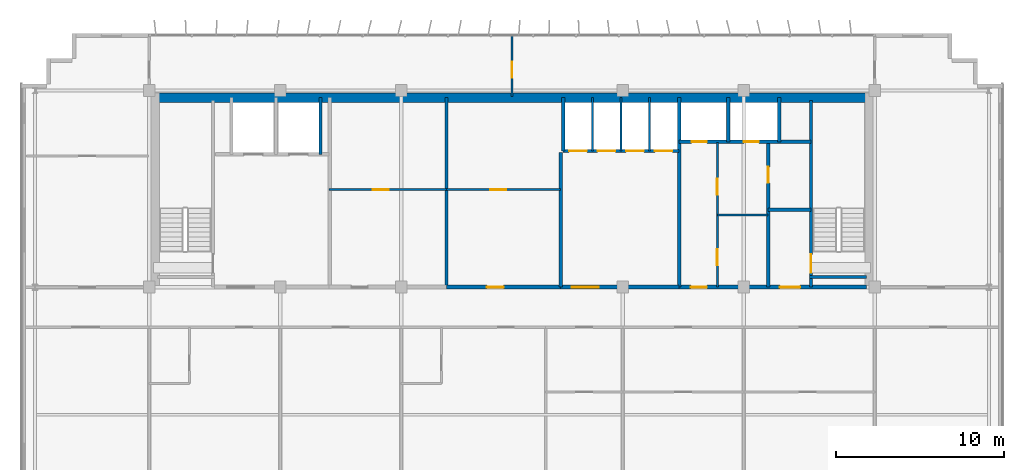
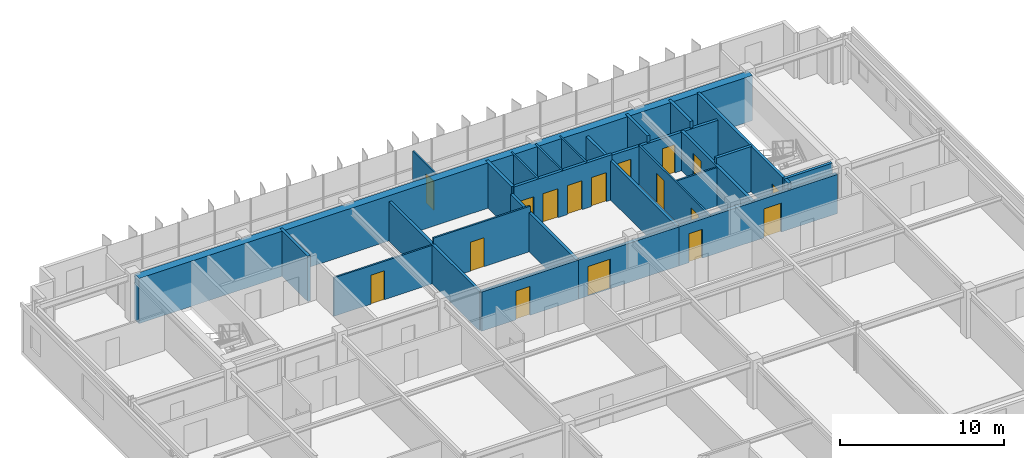
# One storey, part 20 of 23: 25 walls, 17 doors, 17 openings.
"""IFC4 building model written with IfcOpenShell, lengths in metres."""

from ifc_helpers import new_model, si_unit, direction, frame, frame_2d, origin, place, context, subcontext, project, spatial, rectangle, extrude, source, transform, mapped, material, layer, layer_set, type_object, element, fill, save


model = new_model("IFC4")

# Units and contexts
model_context = context("Model", 3, precision=1e-05, world=origin(), true_north=direction((0.0, 1.0)))
body_context = subcontext(model_context, "Body", "Model", "MODEL_VIEW")
ifc_project = project(units=[si_unit("LENGTHUNIT", "METRE"), si_unit("AREAUNIT", "SQUARE_METRE"), si_unit("VOLUMEUNIT", "CUBIC_METRE"), si_unit("PLANEANGLEUNIT", "RADIAN"), si_unit("MASSUNIT", "GRAM", prefix="KILO")], contexts=[model_context])

# Site, building, storey
site_placement = place(None, origin())
site = spatial("IfcSite", under=ifc_project, at=site_placement, CompositionType="ELEMENT")
building_placement = place(site_placement, origin())
building = spatial("IfcBuilding", under=site, at=building_placement, Name="Trelvane Seafront Commons", CompositionType="ELEMENT")
storey_placement = place(building_placement, frame((0.0, 0.0, 230.10009765625)))
storey = spatial("IfcBuildingStorey", under=building, at=storey_placement, Name="L60", CompositionType="ELEMENT", Elevation=230.10009765625)

# Wall, opening, door
ifc_material_1 = material(Name="Concrete C40/50", Category="concrete")
ifc_layer_1 = layer(ifc_material_1, 0.199951171875, Name="ARCH-WALL-FIRE200")
ifc_layer_set_1 = layer_set([ifc_layer_1], Name="Concrete C40/50")
wall_type_1 = type_object("IfcWallType", Name="ARCH-WALL-FIRE200", PredefinedType="PARTITIONING", material=ifc_layer_set_1)
wall_1_placement = place(storey_placement, frame((52.449951171875, 33.39990234375, 0.0), z_axis=(0.0, 0.0, 1.0), x_axis=(0.0, 1.0, 0.0)))
wall_1 = element("IfcWall", 1, at=wall_1_placement, inside=storey, type_object=wall_type_1, Name="W-L60-ST2V-W-030", PredefinedType="PARTITIONING", context=body_context, shape_type="SweptSolid", body=[
    extrude(rectangle(XDim=8.650146484375, YDim=0.199951171875, at=frame_2d((4.3251953125, 0.0))), origin(), (0.0, 0.0, 1.0), 2.909912109375),
])
opening_1_placement = place(wall_1_placement, frame((6.199951171875, 0.0, 0.0)))
opening_1 = element("IfcOpeningElement", 2, at=opening_1_placement, cuts=wall_1, Name="Opening FD-L60-17", PredefinedType="OPENING", context=body_context, shape_type="SweptSolid", body=[
    extrude(rectangle(XDim=0.949951171875, YDim=2.14990234375, at=frame_2d((0.47509765625, 1.074951171875))), frame((0.0, 0.10986328125, 0.0), z_axis=(0.0, -1.0, 0.0), x_axis=(1.0, 0.0, 0.0)), (0.0, 0.0, 1.0), 0.219970703125),
])
ifc_material_2 = material(Name="Powder-coated aluminium frame", Category="aluminium")
door_type_1 = type_object("IfcDoorType", Name="ARCH-DR-FD60-950", OperationType="NOTDEFINED", PredefinedType="DOOR", material=ifc_material_2)
shared_shape_1 = source(origin(), body_context, "Body", "SweptSolid", [
    extrude(rectangle(XDim=0.949951171875, YDim=2.14990234375, at=frame_2d((0.47509765625, 1.074951171875))), frame((0.0, 0.02490234375, 0.0), z_axis=(0.0, -1.0, 0.0), x_axis=(1.0, 0.0, 0.0)), (0.0, 0.0, 1.0), 0.050048828125),
])
door_1_placement = place(opening_1_placement, origin())
door_1 = element("IfcDoor", 3, at=door_1_placement, inside=storey, type_object=door_type_1, Name="L60 Cleaner Store Door", OperationType="SINGLE_SWING_LEFT", OverallHeight=2.14990234375, OverallWidth=0.949951171875, PredefinedType="DOOR", context=body_context, shape_type="MappedRepresentation", body=[
    mapped(shared_shape_1, transform((0.0, 0.0, 0.0), x_axis=(1.0, 0.0, 0.0), y_axis=(0.0, 1.0, 0.0), z_axis=(0.0, 0.0, 1.0), scale=1.0)),
])
fill(opening_1, door_1)

# Wall
wall_2_placement = place(storey_placement, frame((52.449951171875, 38.0, 0.0), z_axis=(0.0, 0.0, 1.0), x_axis=(1.0, 0.0, 0.0)))
element("IfcWall", 4, at=wall_2_placement, inside=storey, type_object=wall_type_1, Name="W-L60-ST2V-N-031", PredefinedType="PARTITIONING", context=body_context, shape_type="SweptSolid", body=[
    extrude(rectangle(XDim=2.550048828125, YDim=0.199951171875, at=frame_2d((1.27490234375, 0.0))), origin(), (0.0, 0.0, 1.0), 3.35986328125),
])

# Wall, opening, door
ifc_layer_2 = layer(ifc_material_1, 0.25, Name="ARCH-WALL-FIRE250")
ifc_layer_set_2 = layer_set([ifc_layer_2], Name="Concrete C40/50")
wall_type_2 = type_object("IfcWallType", Name="ARCH-WALL-FIRE250", PredefinedType="PARTITIONING", material=ifc_layer_set_2)
wall_3_placement = place(storey_placement, frame((33.300048828125, 33.39990234375, 0.0), z_axis=(0.0, 0.0, 1.0), x_axis=(1.0, 0.0, 0.0)))
wall_3 = element("IfcWall", 5, at=wall_3_placement, inside=storey, type_object=wall_type_2, Name="W-L60-CS-FPM-025", PredefinedType="PARTITIONING", context=body_context, shape_type="SweptSolid", body=[
    extrude(rectangle(XDim=6.800048828125, YDim=0.25, at=frame_2d((3.39990234375, 0.0))), origin(), (0.0, 0.0, 1.0), 2.909912109375),
])
opening_2_placement = place(wall_3_placement, frame((2.39990234375, 0.0, 0.0)))
opening_2 = element("IfcOpeningElement", 6, at=opening_2_placement, cuts=wall_3, Name="Opening FD-L60-13", PredefinedType="OPENING", context=body_context, shape_type="SweptSolid", body=[
    extrude(rectangle(XDim=1.0, YDim=2.14990234375, at=frame_2d((0.5, 1.074951171875))), frame((0.0, 0.135009765625, 0.0), z_axis=(0.0, -1.0, 0.0), x_axis=(1.0, 0.0, 0.0)), (0.0, 0.0, 1.0), 0.27001953125),
])
door_type_2 = type_object("IfcDoorType", Name="ARCH-DR-FD60-1000", OperationType="NOTDEFINED", PredefinedType="DOOR", material=ifc_material_2)
shared_shape_2 = source(origin(), body_context, "Body", "SweptSolid", [
    extrude(rectangle(XDim=1.0, YDim=2.14990234375, at=frame_2d((0.5, 1.074951171875))), frame((0.0, 0.02490234375, 0.0), z_axis=(0.0, -1.0, 0.0), x_axis=(1.0, 0.0, 0.0)), (0.0, 0.0, 1.0), 0.050048828125),
])
door_2_placement = place(opening_2_placement, origin())
door_2 = element("IfcDoor", 7, at=door_2_placement, inside=storey, type_object=door_type_2, Name="L60 Trunk Storage Door", OperationType="SINGLE_SWING_LEFT", OverallHeight=2.14990234375, OverallWidth=1.0, PredefinedType="DOOR", context=body_context, shape_type="MappedRepresentation", body=[
    mapped(shared_shape_2, transform((0.0, 0.0, 0.0), x_axis=(1.0, 0.0, 0.0), y_axis=(0.0, 1.0, 0.0), z_axis=(0.0, 0.0, 1.0), scale=1.0)),
])
fill(opening_2, door_2)

wall_4_placement = place(storey_placement, frame((40.10009765625, 33.39990234375, 0.0), z_axis=(0.0, 0.0, 1.0), x_axis=(1.0, 0.0, 0.0)))
wall_4 = element("IfcWall", 8, at=wall_4_placement, inside=storey, type_object=wall_type_2, Name="W-L60-CS-PAX-026", PredefinedType="PARTITIONING", context=body_context, shape_type="SweptSolid", body=[
    extrude(rectangle(XDim=7.0498046875, YDim=0.25, at=frame_2d((3.52490234375, 0.0))), origin(), (0.0, 0.0, 1.0), 2.909912109375),
])
opening_3_placement = place(wall_4_placement, frame((0.64990234375, 0.0, 0.0)))
opening_3 = element("IfcOpeningElement", 9, at=opening_3_placement, cuts=wall_4, Name="Opening FD-L60-14", PredefinedType="OPENING", context=body_context, shape_type="SweptSolid", body=[
    extrude(rectangle(XDim=1.60009765625, YDim=2.199951171875, at=frame_2d((0.800048828125, 1.10009765625))), frame((0.0, 0.135009765625, 0.0), z_axis=(0.0, -1.0, 0.0), x_axis=(1.0, 0.0, 0.0)), (0.0, 0.0, 1.0), 0.27001953125),
])
door_type_3 = type_object("IfcDoorType", Name="ARCH-DR-FD60-1600", OperationType="DOUBLE_DOOR_SINGLE_SWING", PredefinedType="DOOR", material=ifc_material_2)
shared_shape_3 = source(origin(), body_context, "Body", "SweptSolid", [
    extrude(rectangle(XDim=1.60009765625, YDim=2.199951171875, at=frame_2d((0.800048828125, 1.10009765625))), frame((0.0, 0.02490234375, 0.0), z_axis=(0.0, -1.0, 0.0), x_axis=(1.0, 0.0, 0.0)), (0.0, 0.0, 1.0), 0.050048828125),
])
door_3_placement = place(opening_3_placement, origin())
door_3 = element("IfcDoor", 10, at=door_3_placement, inside=storey, type_object=door_type_3, Name="L60 High-Rise Lift Lobby Double Door", OperationType="DOUBLE_DOOR_SINGLE_SWING", OverallHeight=2.199951171875, OverallWidth=1.60009765625, PredefinedType="DOOR", context=body_context, shape_type="MappedRepresentation", body=[
    mapped(shared_shape_3, transform((0.0, 0.0, 0.0), x_axis=(1.0, 0.0, 0.0), y_axis=(0.0, 1.0, 0.0), z_axis=(0.0, 0.0, 1.0), scale=1.0)),
])
fill(opening_3, door_3)

# Wall, openings, doors
wall_5_placement = place(storey_placement, frame((47.14990234375, 33.39990234375, 0.0), z_axis=(0.0, 0.0, 1.0), x_axis=(1.0, 0.0, 0.0)))
wall_5 = element("IfcWall", 11, at=wall_5_placement, inside=storey, type_object=wall_type_2, Name="W-L60-CS-EAST-034", PredefinedType="PARTITIONING", context=body_context, shape_type="SweptSolid", body=[
    extrude(rectangle(XDim=11.150146484375, YDim=0.25, at=frame_2d((5.5751953125, 0.0))), origin(), (0.0, 0.0, 1.0), 2.909912109375),
])
opening_4_placement = place(wall_5_placement, frame((0.699951171875, 0.0, 0.0)))
opening_4 = element("IfcOpeningElement", 12, at=opening_4_placement, cuts=wall_5, Name="Opening FD-L60-20", PredefinedType="OPENING", context=body_context, shape_type="SweptSolid", body=[
    extrude(rectangle(XDim=0.949951171875, YDim=2.14990234375, at=frame_2d((0.47509765625, 1.074951171875))), frame((0.0, 0.135009765625, 0.0), z_axis=(0.0, -1.0, 0.0), x_axis=(1.0, 0.0, 0.0)), (0.0, 0.0, 1.0), 0.27001953125),
])
opening_5_placement = place(wall_5_placement, frame((6.0, 0.0, 0.0)))
opening_5 = element("IfcOpeningElement", 13, at=opening_5_placement, cuts=wall_5, Name="Opening FD-L60-21", PredefinedType="OPENING", context=body_context, shape_type="SweptSolid", body=[
    extrude(rectangle(XDim=1.199951171875, YDim=2.14990234375, at=frame_2d((0.60009765625, 1.074951171875))), frame((0.0, 0.135009765625, 0.0), z_axis=(0.0, -1.0, 0.0), x_axis=(1.0, 0.0, 0.0)), (0.0, 0.0, 1.0), 0.27001953125),
])
door_4_placement = place(opening_4_placement, origin())
door_4 = element("IfcDoor", 14, at=door_4_placement, inside=storey, type_object=door_type_1, Name="L60 Core Service Lobby Door", OperationType="SINGLE_SWING_RIGHT", OverallHeight=2.14990234375, OverallWidth=0.949951171875, PredefinedType="DOOR", context=body_context, shape_type="MappedRepresentation", body=[
    mapped(shared_shape_1, transform((0.0, 0.0, 0.0), x_axis=(1.0, 0.0, 0.0), y_axis=(0.0, 1.0, 0.0), z_axis=(0.0, 0.0, 1.0), scale=1.0)),
])
fill(opening_4, door_4)
door_type_4 = type_object("IfcDoorType", Name="ARCH-DR-FD60-1200", OperationType="NOTDEFINED", PredefinedType="DOOR", material=ifc_material_2)
shared_shape_4 = source(origin(), body_context, "Body", "SweptSolid", [
    extrude(rectangle(XDim=1.199951171875, YDim=2.14990234375, at=frame_2d((0.60009765625, 1.074951171875))), frame((0.0, 0.02490234375, 0.0), z_axis=(0.0, -1.0, 0.0), x_axis=(1.0, 0.0, 0.0)), (0.0, 0.0, 1.0), 0.050048828125),
])
door_5_placement = place(opening_5_placement, origin())
door_5 = element("IfcDoor", 15, at=door_5_placement, inside=storey, type_object=door_type_4, Name="L60 East Stair Vestibule Fire Door", OperationType="SINGLE_SWING_LEFT", OverallHeight=2.14990234375, OverallWidth=1.199951171875, PredefinedType="DOOR", context=body_context, shape_type="MappedRepresentation", body=[
    mapped(shared_shape_4, transform((0.0, 0.0, 0.0), x_axis=(1.0, 0.0, 0.0), y_axis=(0.0, 1.0, 0.0), z_axis=(0.0, 0.0, 1.0), scale=1.0)),
])
fill(opening_5, door_5)

# Wall, opening, door
ifc_material_3 = material(Name="Gypsum Drywall Acoustic Partition")
ifc_layer_3 = layer(ifc_material_3, 0.1201171875, Name="ARCH-WALL-PART120")
ifc_layer_set_3 = layer_set([ifc_layer_3], Name="Gypsum Drywall Acoustic Partition")
wall_type_3 = type_object("IfcWallType", Name="ARCH-WALL-PART120", PredefinedType="PARTITIONING", material=ifc_layer_set_3)
wall_6_placement = place(storey_placement, frame((26.300048828125, 39.199951171875, 0.0), z_axis=(0.0, 0.0, 1.0), x_axis=(1.0, 0.0, 0.0)))
wall_6 = element("IfcWall", 16, at=wall_6_placement, inside=storey, type_object=wall_type_3, Name="W-L60-FREED-PL-MID-014", PredefinedType="PARTITIONING", context=body_context, shape_type="SweptSolid", body=[
    extrude(rectangle(XDim=7.0, YDim=0.1201171875, at=frame_2d((3.5, 0.0))), origin(), (0.0, 0.0, 1.0), 2.85986328125),
])
opening_6_placement = place(wall_6_placement, frame((2.60009765625, 0.0, 0.0)))
opening_6 = element("IfcOpeningElement", 17, at=opening_6_placement, cuts=wall_6, Name="Opening D-L60-06", PredefinedType="OPENING", context=body_context, shape_type="SweptSolid", body=[
    extrude(rectangle(XDim=0.949951171875, YDim=2.14990234375, at=frame_2d((0.47509765625, 1.074951171875))), frame((0.0, 0.070068359375, 0.0), z_axis=(0.0, -1.0, 0.0), x_axis=(1.0, 0.0, 0.0)), (0.0, 0.0, 1.0), 0.14013671875),
])
ifc_material_4 = material(Name="Acoustic timber door leaf", Category="wood")
door_type_5 = type_object("IfcDoorType", Name="ARCH-DR-INT950", OperationType="NOTDEFINED", PredefinedType="DOOR", material=ifc_material_4)
door_6_placement = place(opening_6_placement, origin())
door_6 = element("IfcDoor", 18, at=door_6_placement, inside=storey, type_object=door_type_5, Name="L60 Housekeeping Store Door", OperationType="SINGLE_SWING_RIGHT", OverallHeight=2.14990234375, OverallWidth=0.949951171875, PredefinedType="DOOR", context=body_context, shape_type="MappedRepresentation", body=[
    mapped(shared_shape_1, transform((0.0, 0.0, 0.0), x_axis=(1.0, 0.0, 0.0), y_axis=(0.0, 1.0, 0.0), z_axis=(0.0, 0.0, 1.0), scale=1.0)),
])
fill(opening_6, door_6)

wall_7_placement = place(storey_placement, frame((33.300048828125, 39.199951171875, 0.0), z_axis=(0.0, 0.0, 1.0), x_axis=(1.0, 0.0, 0.0)))
wall_7 = element("IfcWall", 19, at=wall_7_placement, inside=storey, type_object=wall_type_3, Name="W-L60-FREED-PM-MID-016", PredefinedType="PARTITIONING", context=body_context, shape_type="SweptSolid", body=[
    extrude(rectangle(XDim=6.800048828125, YDim=0.1201171875, at=frame_2d((3.39990234375, 0.0))), origin(), (0.0, 0.0, 1.0), 3.35986328125),
])
opening_7_placement = place(wall_7_placement, frame((2.60009765625, 0.0, 0.0)))
opening_7 = element("IfcOpeningElement", 20, at=opening_7_placement, cuts=wall_7, Name="Opening D-L60-07", PredefinedType="OPENING", context=body_context, shape_type="SweptSolid", body=[
    extrude(rectangle(XDim=0.949951171875, YDim=2.14990234375, at=frame_2d((0.47509765625, 1.074951171875))), frame((0.0, 0.070068359375, 0.0), z_axis=(0.0, -1.0, 0.0), x_axis=(1.0, 0.0, 0.0)), (0.0, 0.0, 1.0), 0.14013671875),
])
door_7_placement = place(opening_7_placement, origin())
door_7 = element("IfcDoor", 21, at=door_7_placement, inside=storey, type_object=door_type_5, Name="L60 IT Comms Room Door", OperationType="SINGLE_SWING_LEFT", OverallHeight=2.14990234375, OverallWidth=0.949951171875, PredefinedType="DOOR", context=body_context, shape_type="MappedRepresentation", body=[
    mapped(shared_shape_1, transform((0.0, 0.0, 0.0), x_axis=(1.0, 0.0, 0.0), y_axis=(0.0, 1.0, 0.0), z_axis=(0.0, 0.0, 1.0), scale=1.0)),
])
fill(opening_7, door_7)

# Walls
for number, where, z_axis, x_axis, name in (
    (22, (42.0, 41.5, 0.0), (0.0, 0.0, 1.0), (0.0, 1.0, 0.0), "W-L60-PH-DIV1-020"),
    (23, (43.699951171875, 41.5, 0.0), (0.0, 0.0, 1.0), (0.0, 1.0, 0.0), "W-L60-PH-DIV2-021"),
    (24, (45.39990234375, 41.5, 0.0), (0.0, 0.0, 1.0), (0.0, 1.0, 0.0), "W-L60-PH-DIV3-022"),
):
    element("IfcWall", number, at=place(storey_placement, frame(where, z_axis=z_axis, x_axis=x_axis)), inside=storey, type_object=wall_type_3, Name=name, PredefinedType="PARTITIONING", context=body_context, shape_type="SweptSolid", body=[
        extrude(rectangle(XDim=3.199951171875, YDim=0.1201171875, at=frame_2d((1.60009765625, 0.0))), origin(), (0.0, 0.0, 1.0), 3.35986328125),
    ])

# Wall, openings, doors
wall_8_placement = place(storey_placement, frame((49.419921875, 33.39990234375, 0.0), z_axis=(0.0, 0.0, 1.0), x_axis=(0.0, 1.0, 0.0)))
wall_8 = element("IfcWall", 25, at=wall_8_placement, inside=storey, type_object=wall_type_3, Name="W-L60-CYC0-V-032", PredefinedType="PARTITIONING", context=body_context, shape_type="SweptSolid", body=[
    extrude(rectangle(XDim=8.60009765625, YDim=0.1201171875, at=frame_2d((4.300048828125, 0.0))), origin(), (0.0, 0.0, 1.0), 2.909912109375),
])
opening_8_placement = place(wall_8_placement, frame((1.300048828125, 0.0, 0.0)))
opening_8 = element("IfcOpeningElement", 26, at=opening_8_placement, cuts=wall_8, Name="Opening D-L60-18", PredefinedType="OPENING", context=body_context, shape_type="SweptSolid", body=[
    extrude(rectangle(XDim=0.949951171875, YDim=2.14990234375, at=frame_2d((0.47509765625, 1.074951171875))), frame((0.0, 0.070068359375, 0.0), z_axis=(0.0, -1.0, 0.0), x_axis=(1.0, 0.0, 0.0)), (0.0, 0.0, 1.0), 0.14013671875),
])
opening_9_placement = place(wall_8_placement, frame((5.5, 0.0, 0.0)))
opening_9 = element("IfcOpeningElement", 27, at=opening_9_placement, cuts=wall_8, Name="Opening D-L60-19", PredefinedType="OPENING", context=body_context, shape_type="SweptSolid", body=[
    extrude(rectangle(XDim=0.949951171875, YDim=2.14990234375, at=frame_2d((0.47509765625, 1.074951171875))), frame((0.0, 0.070068359375, 0.0), z_axis=(0.0, -1.0, 0.0), x_axis=(1.0, 0.0, 0.0)), (0.0, 0.0, 1.0), 0.14013671875),
])
door_8_placement = place(opening_8_placement, origin())
door_8 = element("IfcDoor", 28, at=door_8_placement, inside=storey, type_object=door_type_5, Name="L60 Accessible WC Door", OperationType="SINGLE_SWING_RIGHT", OverallHeight=2.14990234375, OverallWidth=0.949951171875, PredefinedType="DOOR", context=body_context, shape_type="MappedRepresentation", body=[
    mapped(shared_shape_1, transform((0.0, 0.0, 0.0), x_axis=(1.0, 0.0, 0.0), y_axis=(0.0, 1.0, 0.0), z_axis=(0.0, 0.0, 1.0), scale=1.0)),
])
fill(opening_8, door_8)
door_9_placement = place(opening_9_placement, origin())
door_9 = element("IfcDoor", 29, at=door_9_placement, inside=storey, type_object=door_type_5, Name="L60 Common WC Door", OperationType="SINGLE_SWING_LEFT", OverallHeight=2.14990234375, OverallWidth=0.949951171875, PredefinedType="DOOR", context=body_context, shape_type="MappedRepresentation", body=[
    mapped(shared_shape_1, transform((0.0, 0.0, 0.0), x_axis=(1.0, 0.0, 0.0), y_axis=(0.0, 1.0, 0.0), z_axis=(0.0, 0.0, 1.0), scale=1.0)),
])
fill(opening_9, door_9)

# Wall
wall_9_placement = place(storey_placement, frame((49.419921875, 37.679931640625, 0.0), z_axis=(0.0, 0.0, 1.0), x_axis=(1.0, 0.0, 0.0)))
element("IfcWall", 30, at=wall_9_placement, inside=storey, type_object=wall_type_3, Name="W-L60-CYC0-H-033", PredefinedType="PARTITIONING", context=body_context, shape_type="SweptSolid", body=[
    extrude(rectangle(XDim=3.030029296875, YDim=0.1201171875, at=frame_2d((1.51513671875, 0.0))), origin(), (0.0, 0.0, 1.0), 2.85986328125),
])

# Wall, opening, door
wall_10_placement = place(storey_placement, frame((37.199951171875, 44.75, 0.0), z_axis=(0.0, 0.0, 1.0), x_axis=(0.0, 1.0, 0.0)))
wall_10 = element("IfcWall", 31, at=wall_10_placement, inside=storey, type_object=wall_type_3, Name="W-L60-N-MID-DV-038", PredefinedType="PARTITIONING", context=body_context, shape_type="SweptSolid", body=[
    extrude(rectangle(XDim=3.610107421875, YDim=0.1201171875, at=frame_2d((1.80517578125, 0.0))), origin(), (0.0, 0.0, 1.0), 2.909912109375),
])
opening_10_placement = place(wall_10_placement, frame((1.10009765625, 0.0, 0.0)))
opening_10 = element("IfcOpeningElement", 32, at=opening_10_placement, cuts=wall_10, Name="Opening D-L60-25", PredefinedType="OPENING", context=body_context, shape_type="SweptSolid", body=[
    extrude(rectangle(XDim=0.949951171875, YDim=2.14990234375, at=frame_2d((0.47509765625, 1.074951171875))), frame((0.0, 0.070068359375, 0.0), z_axis=(0.0, -1.0, 0.0), x_axis=(1.0, 0.0, 0.0)), (0.0, 0.0, 1.0), 0.14013671875),
])
door_10_placement = place(opening_10_placement, origin())
door_10 = element("IfcDoor", 33, at=door_10_placement, inside=storey, type_object=door_type_5, Name="L60 Door 25", OperationType="SINGLE_SWING_LEFT", OverallHeight=2.14990234375, OverallWidth=0.949951171875, PredefinedType="DOOR", context=body_context, shape_type="MappedRepresentation", body=[
    mapped(shared_shape_1, transform((0.0, 0.0, 0.0), x_axis=(1.0, 0.0, 0.0), y_axis=(0.0, 1.0, 0.0), z_axis=(0.0, 0.0, 1.0), scale=1.0)),
])
fill(opening_10, door_10)

# Walls
ifc_layer_4 = layer(ifc_material_1, 0.199951171875, Name="ARCH-WALL-SHAFT200")
ifc_layer_set_4 = layer_set([ifc_layer_4], Name="Concrete C40/50")
wall_type_4 = type_object("IfcWallType", Name="ARCH-WALL-SHAFT200", PredefinedType="SOLIDWALL", material=ifc_layer_set_4)
wall_11_placement = place(storey_placement, frame((25.800048828125, 41.300048828125, 0.0), z_axis=(0.0, 0.0, 1.0), x_axis=(0.0, 1.0, 0.0)))
element("IfcWall", 34, at=wall_11_placement, inside=storey, type_object=wall_type_4, Name="W-L60-FFL-SH-E-011", PredefinedType="SOLIDWALL", context=body_context, shape_type="SweptSolid", body=[
    extrude(rectangle(XDim=3.39990234375, YDim=0.199951171875, at=frame_2d((1.699951171875, 0.0))), origin(), (0.0, 0.0, 1.0), 3.35986328125),
])
wall_12_placement = place(storey_placement, frame((33.300048828125, 33.39990234375, 0.0), z_axis=(0.0, 0.0, 1.0), x_axis=(0.0, 1.0, 0.0)))
element("IfcWall", 35, at=wall_12_placement, inside=storey, type_object=wall_type_4, Name="W-L60-FREED-PL-E-015", PredefinedType="SOLIDWALL", context=body_context, shape_type="SweptSolid", body=[
    extrude(rectangle(XDim=11.300048828125, YDim=0.199951171875, at=frame_2d((5.64990234375, 0.0))), origin(), (0.0, 0.0, 1.0), 2.909912109375),
])
wall_13_placement = place(storey_placement, frame((40.10009765625, 33.39990234375, 0.0), z_axis=(0.0, 0.0, 1.0), x_axis=(0.0, 1.0, 0.0)))
element("IfcWall", 36, at=wall_13_placement, inside=storey, type_object=wall_type_4, Name="W-L60-FREED-PM-E-017", PredefinedType="SOLIDWALL", context=body_context, shape_type="SweptSolid", body=[
    extrude(rectangle(XDim=8.0, YDim=0.199951171875, at=frame_2d((4.0, 0.0))), origin(), (0.0, 0.0, 1.0), 2.909912109375),
])

# Wall, openings, doors
wall_14_placement = place(storey_placement, frame((40.25, 41.5, 0.0), z_axis=(0.0, 0.0, 1.0), x_axis=(1.0, 0.0, 0.0)))
wall_14 = element("IfcWall", 37, at=wall_14_placement, inside=storey, type_object=wall_type_4, Name="W-L60-PH-FRONT-018", PredefinedType="SOLIDWALL", context=body_context, shape_type="SweptSolid", body=[
    extrude(rectangle(XDim=6.89990234375, YDim=0.199951171875, at=frame_2d((3.449951171875, 0.0))), origin(), (0.0, 0.0, 1.0), 3.35986328125),
])
opening_11_placement = place(wall_14_placement, frame((0.35009765625, 0.0, 0.0)))
opening_11 = element("IfcOpeningElement", 38, at=opening_11_placement, cuts=wall_14, Name="Opening LD-PH1-L60", PredefinedType="OPENING", context=body_context, shape_type="SweptSolid", body=[
    extrude(rectangle(XDim=1.050048828125, YDim=2.14990234375, at=frame_2d((0.52490234375, 1.074951171875))), frame((0.0, 0.10986328125, 0.0), z_axis=(0.0, -1.0, 0.0), x_axis=(1.0, 0.0, 0.0)), (0.0, 0.0, 1.0), 0.219970703125),
])
opening_12_placement = place(wall_14_placement, frame((2.050048828125, 0.0, 0.0)))
opening_12 = element("IfcOpeningElement", 39, at=opening_12_placement, cuts=wall_14, Name="Opening LD-PH2-L60", PredefinedType="OPENING", context=body_context, shape_type="SweptSolid", body=[
    extrude(rectangle(XDim=1.050048828125, YDim=2.14990234375, at=frame_2d((0.52490234375, 1.074951171875))), frame((0.0, 0.10986328125, 0.0), z_axis=(0.0, -1.0, 0.0), x_axis=(1.0, 0.0, 0.0)), (0.0, 0.0, 1.0), 0.219970703125),
])
opening_13_placement = place(wall_14_placement, frame((3.75, 0.0, 0.0)))
opening_13 = element("IfcOpeningElement", 40, at=opening_13_placement, cuts=wall_14, Name="Opening LD-PH3-L60", PredefinedType="OPENING", context=body_context, shape_type="SweptSolid", body=[
    extrude(rectangle(XDim=1.050048828125, YDim=2.14990234375, at=frame_2d((0.52490234375, 1.074951171875))), frame((0.0, 0.10986328125, 0.0), z_axis=(0.0, -1.0, 0.0), x_axis=(1.0, 0.0, 0.0)), (0.0, 0.0, 1.0), 0.219970703125),
])
opening_14_placement = place(wall_14_placement, frame((5.449951171875, 0.0, 0.0)))
opening_14 = element("IfcOpeningElement", 41, at=opening_14_placement, cuts=wall_14, Name="Opening LD-PH4-L60", PredefinedType="OPENING", context=body_context, shape_type="SweptSolid", body=[
    extrude(rectangle(XDim=1.050048828125, YDim=2.14990234375, at=frame_2d((0.52490234375, 1.074951171875))), frame((0.0, 0.10986328125, 0.0), z_axis=(0.0, -1.0, 0.0), x_axis=(1.0, 0.0, 0.0)), (0.0, 0.0, 1.0), 0.219970703125),
])
ifc_material_5 = material(Name="Stainless steel balustrade", Category="steel")
door_type_6 = type_object("IfcDoorType", Name="ARCH-DR-LD1050", OperationType="DOUBLE_DOOR_SLIDING", PredefinedType="DOOR", material=ifc_material_5)
shared_shape_5 = source(origin(), body_context, "Body", "SweptSolid", [
    extrude(rectangle(XDim=1.050048828125, YDim=2.14990234375, at=frame_2d((0.52490234375, 1.074951171875))), frame((0.0, 0.02490234375, 0.0), z_axis=(0.0, -1.0, 0.0), x_axis=(1.0, 0.0, 0.0)), (0.0, 0.0, 1.0), 0.050048828125),
])
door_11_placement = place(opening_11_placement, origin())
door_11 = element("IfcDoor", 42, at=door_11_placement, inside=storey, type_object=door_type_6, Name="L60 Passenger Lift PH-1 Landing Door", OperationType="DOUBLE_DOOR_SLIDING", OverallHeight=2.14990234375, OverallWidth=1.050048828125, PredefinedType="DOOR", context=body_context, shape_type="MappedRepresentation", body=[
    mapped(shared_shape_5, transform((0.0, 0.0, 0.0), x_axis=(1.0, 0.0, 0.0), y_axis=(0.0, 1.0, 0.0), z_axis=(0.0, 0.0, 1.0), scale=1.0)),
])
fill(opening_11, door_11)
door_12_placement = place(opening_12_placement, origin())
door_12 = element("IfcDoor", 43, at=door_12_placement, inside=storey, type_object=door_type_6, Name="L60 Passenger Lift PH-2 Landing Door", OperationType="DOUBLE_DOOR_SLIDING", OverallHeight=2.14990234375, OverallWidth=1.050048828125, PredefinedType="DOOR", context=body_context, shape_type="MappedRepresentation", body=[
    mapped(shared_shape_5, transform((0.0, 0.0, 0.0), x_axis=(1.0, 0.0, 0.0), y_axis=(0.0, 1.0, 0.0), z_axis=(0.0, 0.0, 1.0), scale=1.0)),
])
fill(opening_12, door_12)
door_13_placement = place(opening_13_placement, origin())
door_13 = element("IfcDoor", 44, at=door_13_placement, inside=storey, type_object=door_type_6, Name="L60 Passenger Lift PH-3 Landing Door", OperationType="DOUBLE_DOOR_SLIDING", OverallHeight=2.14990234375, OverallWidth=1.050048828125, PredefinedType="DOOR", context=body_context, shape_type="MappedRepresentation", body=[
    mapped(shared_shape_5, transform((0.0, 0.0, 0.0), x_axis=(1.0, 0.0, 0.0), y_axis=(0.0, 1.0, 0.0), z_axis=(0.0, 0.0, 1.0), scale=1.0)),
])
fill(opening_13, door_13)
door_14_placement = place(opening_14_placement, origin())
door_14 = element("IfcDoor", 45, at=door_14_placement, inside=storey, type_object=door_type_6, Name="L60 Passenger Lift PH-4 Landing Door", OperationType="DOUBLE_DOOR_SLIDING", OverallHeight=2.14990234375, OverallWidth=1.050048828125, PredefinedType="DOOR", context=body_context, shape_type="MappedRepresentation", body=[
    mapped(shared_shape_5, transform((0.0, 0.0, 0.0), x_axis=(1.0, 0.0, 0.0), y_axis=(0.0, 1.0, 0.0), z_axis=(0.0, 0.0, 1.0), scale=1.0)),
])
fill(opening_14, door_14)

# Walls
wall_15_placement = place(storey_placement, frame((40.25, 41.5, 0.0), z_axis=(0.0, 0.0, 1.0), x_axis=(0.0, 1.0, 0.0)))
element("IfcWall", 46, at=wall_15_placement, inside=storey, type_object=wall_type_4, Name="W-L60-PH-WEST-SH-019", PredefinedType="SOLIDWALL", context=body_context, shape_type="SweptSolid", body=[
    extrude(rectangle(XDim=3.199951171875, YDim=0.199951171875, at=frame_2d((1.60009765625, 0.0))), origin(), (0.0, 0.0, 1.0), 3.35986328125),
])
wall_16_placement = place(storey_placement, frame((47.14990234375, 33.39990234375, 0.0), z_axis=(0.0, 0.0, 1.0), x_axis=(0.0, 1.0, 0.0)))
element("IfcWall", 47, at=wall_16_placement, inside=storey, type_object=wall_type_4, Name="W-L60-PH-EAST-023", PredefinedType="SOLIDWALL", context=body_context, shape_type="SweptSolid", body=[
    extrude(rectangle(XDim=11.300048828125, YDim=0.199951171875, at=frame_2d((5.64990234375, 0.0))), origin(), (0.0, 0.0, 1.0), 2.909912109375),
])

# Wall, openings, doors
wall_17_placement = place(storey_placement, frame((47.14990234375, 42.050048828125, 0.0), z_axis=(0.0, 0.0, 1.0), x_axis=(1.0, 0.0, 0.0)))
wall_17 = element("IfcWall", 48, at=wall_17_placement, inside=storey, type_object=wall_type_4, Name="W-L60-RSR-S-027", PredefinedType="SOLIDWALL", context=body_context, shape_type="SweptSolid", body=[
    extrude(rectangle(XDim=7.85009765625, YDim=0.199951171875, at=frame_2d((3.925048828125, 0.0))), origin(), (0.0, 0.0, 1.0), 2.85986328125),
])
opening_15_placement = place(wall_17_placement, frame((0.75, 0.0, 0.0)))
opening_15 = element("IfcOpeningElement", 49, at=opening_15_placement, cuts=wall_17, Name="Opening FD-L60-15", PredefinedType="OPENING", context=body_context, shape_type="SweptSolid", body=[
    extrude(rectangle(XDim=0.89990234375, YDim=2.10009765625, at=frame_2d((0.449951171875, 1.050048828125))), frame((0.0, 0.10986328125, 0.0), z_axis=(0.0, -1.0, 0.0), x_axis=(1.0, 0.0, 0.0)), (0.0, 0.0, 1.0), 0.219970703125),
])
opening_16_placement = place(wall_17_placement, frame((3.85009765625, 0.0, 0.0)))
opening_16 = element("IfcOpeningElement", 50, at=opening_16_placement, cuts=wall_17, Name="Opening FD-L60-16", PredefinedType="OPENING", context=body_context, shape_type="SweptSolid", body=[
    extrude(rectangle(XDim=0.89990234375, YDim=2.10009765625, at=frame_2d((0.449951171875, 1.050048828125))), frame((0.0, 0.10986328125, 0.0), z_axis=(0.0, -1.0, 0.0), x_axis=(1.0, 0.0, 0.0)), (0.0, 0.0, 1.0), 0.219970703125),
])
door_type_7 = type_object("IfcDoorType", Name="ARCH-DR-FD60-900", OperationType="NOTDEFINED", PredefinedType="DOOR", material=ifc_material_2)
shared_shape_6 = source(origin(), body_context, "Body", "SweptSolid", [
    extrude(rectangle(XDim=0.89990234375, YDim=2.10009765625, at=frame_2d((0.449951171875, 1.050048828125))), frame((0.0, 0.02490234375, 0.0), z_axis=(0.0, -1.0, 0.0), x_axis=(1.0, 0.0, 0.0)), (0.0, 0.0, 1.0), 0.050048828125),
])
door_15_placement = place(opening_15_placement, origin())
door_15 = element("IfcDoor", 51, at=door_15_placement, inside=storey, type_object=door_type_7, Name="L60 Electrical Riser Access Door", OperationType="SINGLE_SWING_LEFT", OverallHeight=2.10009765625, OverallWidth=0.89990234375, PredefinedType="DOOR", context=body_context, shape_type="MappedRepresentation", body=[
    mapped(shared_shape_6, transform((0.0, 0.0, 0.0), x_axis=(1.0, 0.0, 0.0), y_axis=(0.0, 1.0, 0.0), z_axis=(0.0, 0.0, 1.0), scale=1.0)),
])
fill(opening_15, door_15)
door_16_placement = place(opening_16_placement, origin())
door_16 = element("IfcDoor", 52, at=door_16_placement, inside=storey, type_object=door_type_7, Name="L60 Mechanical Riser Access Door", OperationType="SINGLE_SWING_RIGHT", OverallHeight=2.10009765625, OverallWidth=0.89990234375, PredefinedType="DOOR", context=body_context, shape_type="MappedRepresentation", body=[
    mapped(shared_shape_6, transform((0.0, 0.0, 0.0), x_axis=(1.0, 0.0, 0.0), y_axis=(0.0, 1.0, 0.0), z_axis=(0.0, 0.0, 1.0), scale=1.0)),
])
fill(opening_16, door_16)

# Walls
for number, where, z_axis, x_axis, name in (
    (53, (50.080078125, 42.050048828125, 0.0), (0.0, 0.0, 1.0), (0.0, 1.0, 0.0), "W-L60-RSR-DIV-028"),
    (54, (53.10009765625, 42.050048828125, 0.0), (0.0, 0.0, 1.0), (0.0, 1.0, 0.0), "W-L60-RSR-E-029"),
):
    element("IfcWall", number, at=place(storey_placement, frame(where, z_axis=z_axis, x_axis=x_axis)), inside=storey, type_object=wall_type_4, Name=name, PredefinedType="SOLIDWALL", context=body_context, shape_type="SweptSolid", body=[
        extrude(rectangle(XDim=2.64990234375, YDim=0.199951171875, at=frame_2d((1.324951171875, 0.0))), origin(), (0.0, 0.0, 1.0), 3.35986328125),
    ])
ifc_material_6 = material(Name="Concrete C50/60", Category="concrete")
ifc_layer_5 = layer(ifc_material_6, 0.550048828125, Name="STR-WALL-CORE550")
ifc_layer_set_5 = layer_set([ifc_layer_5], Name="Concrete C50/60")
wall_type_5 = type_object("IfcWallType", Name="STR-WALL-CORE550", PredefinedType="SHEAR", material=ifc_layer_set_5)
wall_18_placement = place(storey_placement, frame((15.64990234375, 44.675048828125, 0.0), z_axis=(0.0, 0.0, 1.0), x_axis=(1.0, 0.0, 0.0)))
element("IfcWall", 55, at=wall_18_placement, inside=storey, type_object=wall_type_5, Name="W-L60-CN-ALL-001", PredefinedType="SHEAR", context=body_context, shape_type="SweptSolid", body=[
    extrude(rectangle(XDim=43.10009765625, YDim=0.550048828125, at=frame_2d((21.550048828125, 0.0))), origin(), (0.0, 0.0, 1.0), 3.35986328125),
])
ifc_layer_6 = layer(ifc_material_6, 0.199951171875, Name="STR-WALL-STAIR200")
ifc_layer_set_6 = layer_set([ifc_layer_6], Name="Concrete C50/60")
wall_type_6 = type_object("IfcWallType", Name="STR-WALL-STAIR200", PredefinedType="SHEAR", material=ifc_layer_set_6)
wall_19_placement = place(storey_placement, frame((54.89990234375, 34.0, 0.0), z_axis=(0.0, 0.0, 1.0), x_axis=(1.0, 0.0, 0.0)))
element("IfcWall", 56, at=wall_19_placement, inside=storey, type_object=wall_type_6, Name="W-L60-ST2-S-006", PredefinedType="SHEAR", context=body_context, shape_type="SweptSolid", body=[
    extrude(rectangle(XDim=3.400146484375, YDim=0.199951171875, at=frame_2d((1.7001953125, 0.0))), origin(), (0.0, 0.0, 1.0), 3.35986328125),
])

# Wall, opening, door
wall_20_placement = place(storey_placement, frame((55.0, 33.39990234375, 0.0), z_axis=(0.0, 0.0, 1.0), x_axis=(0.0, 1.0, 0.0)))
wall_20 = element("IfcWall", 57, at=wall_20_placement, inside=storey, type_object=wall_type_6, Name="W-L60-ST2-W-007", PredefinedType="SHEAR", context=body_context, shape_type="SweptSolid", body=[
    extrude(rectangle(XDim=11.10009765625, YDim=0.199951171875, at=frame_2d((5.550048828125, 0.0))), origin(), (0.0, 0.0, 1.0), 3.35986328125),
])
opening_17_placement = place(wall_20_placement, frame((0.85009765625, 0.0, 0.0)))
opening_17 = element("IfcOpeningElement", 58, at=opening_17_placement, cuts=wall_20, Name="Opening ST-D2-L60", PredefinedType="OPENING", context=body_context, shape_type="SweptSolid", body=[
    extrude(rectangle(XDim=1.10009765625, YDim=2.14990234375, at=frame_2d((0.550048828125, 1.074951171875))), frame((0.0, 0.10986328125, 0.0), z_axis=(0.0, -1.0, 0.0), x_axis=(1.0, 0.0, 0.0)), (0.0, 0.0, 1.0), 0.219970703125),
])
door_type_8 = type_object("IfcDoorType", Name="ARCH-DR-FD90-1100", OperationType="NOTDEFINED", PredefinedType="DOOR", material=ifc_material_2)
shared_shape_7 = source(origin(), body_context, "Body", "SweptSolid", [
    extrude(rectangle(XDim=1.10009765625, YDim=2.14990234375, at=frame_2d((0.550048828125, 1.074951171875))), frame((0.0, 0.02490234375, 0.0), z_axis=(0.0, -1.0, 0.0), x_axis=(1.0, 0.0, 0.0)), (0.0, 0.0, 1.0), 0.050048828125),
])
door_17_placement = place(opening_17_placement, origin())
door_17 = element("IfcDoor", 59, at=door_17_placement, inside=storey, type_object=door_type_8, Name="L60 Stair ST-2 Vestibule Fire Door", OperationType="SINGLE_SWING_RIGHT", OverallHeight=2.14990234375, OverallWidth=1.10009765625, PredefinedType="DOOR", context=body_context, shape_type="MappedRepresentation", body=[
    mapped(shared_shape_7, transform((0.0, 0.0, 0.0), x_axis=(1.0, 0.0, 0.0), y_axis=(0.0, 1.0, 0.0), z_axis=(0.0, 0.0, 1.0), scale=1.0)),
])
fill(opening_17, door_17)

save(model, "model.ifc")
